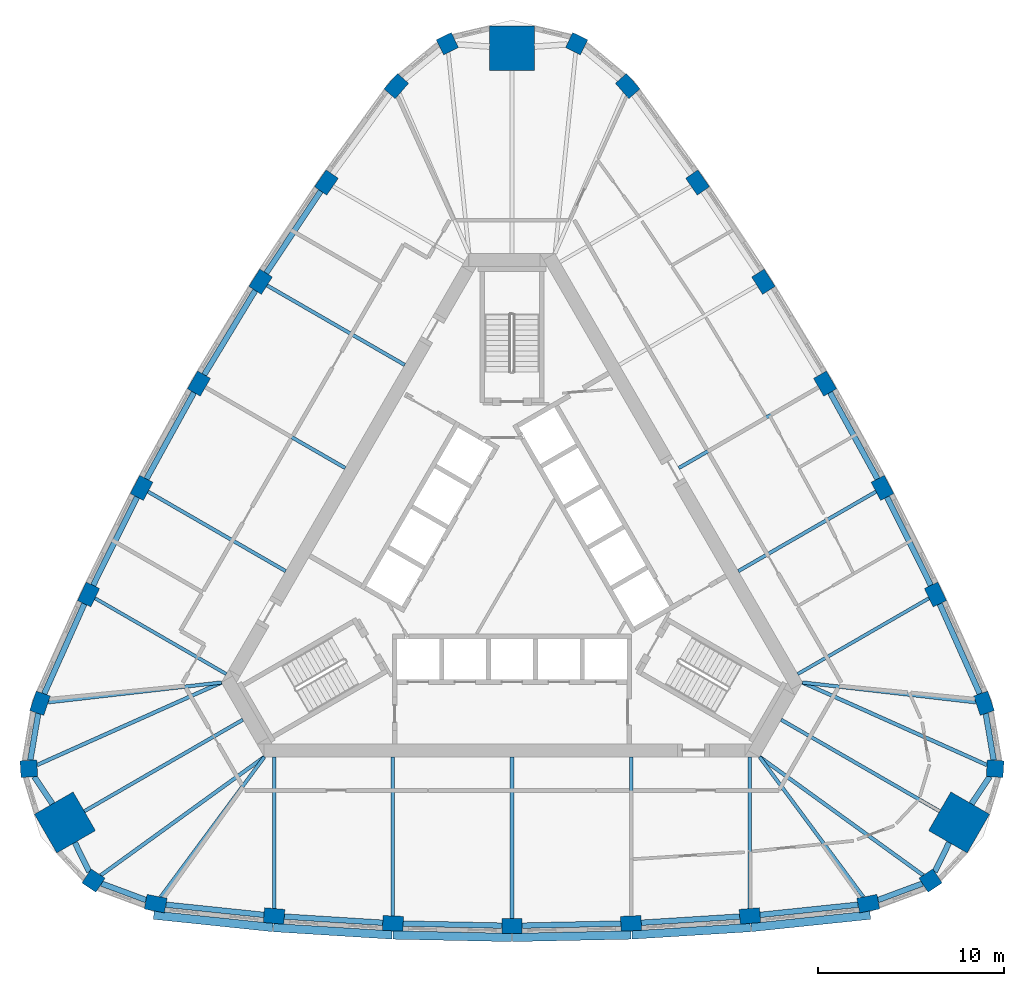
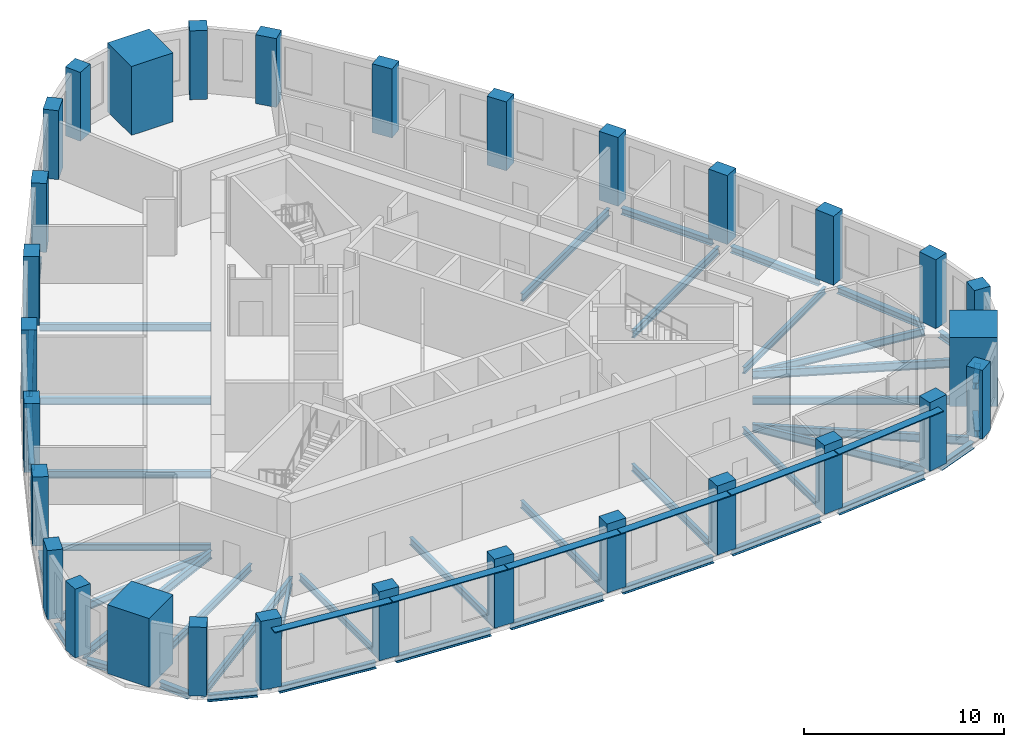
# One storey, part 1 of 10: 44 beams, 30 columns, 6 members.
"""IFC4 building model written with IfcOpenShell, lengths in metres."""

import ifcopenshell
import ifcopenshell.guid

model = None  # the IFC model being written
_history = None  # IfcOwnerHistory: only IFC2X3 demands one
_inside = {}  # id of a spatial element -> (the spatial element, [elements in it])
_under = {}  # id of a project, library or spatial element -> (it, [spatial elements below it])
_declared = {}  # id of a project -> (the project, [libraries it declares])
_typed = {}  # id of a type object -> (the type object, [elements of that type])
_made_of = {}  # id of a material, layer set ... -> (it, [elements and type objects made of it])


def new_model(schema):
    """Start an empty IFC model of exactly this schema.

    Asked for "IFC4X3", IfcOpenShell would pick the latest addendum, in which some entities
    have other attributes; the version numbers below select the first issue.
    IFC2X3 requires an IfcOwnerHistory on every rooted entity: one is made here for all.
    """
    global model, _history
    if schema == "IFC4X3":
        model = ifcopenshell.file(schema_version=(4, 3, 0, 0))
    else:
        model = ifcopenshell.file(schema=schema)
    _inside.clear()
    _under.clear()
    _declared.clear()
    _typed.clear()
    _made_of.clear()
    _history = None
    if model.schema == "IFC2X3":
        org = make("IfcOrganization", Name="unknown")
        user = make(
            "IfcPersonAndOrganization",
            ThePerson=make("IfcPerson", FamilyName="unknown"),
            TheOrganization=org,
        )
        app = make(
            "IfcApplication",
            ApplicationDeveloper=org,
            Version="unknown",
            ApplicationFullName="unknown",
            ApplicationIdentifier="unknown",
        )
        _history = make(
            "IfcOwnerHistory",
            OwningUser=user,
            OwningApplication=app,
            ChangeAction="ADDED",
            CreationDate=0,
        )
    return model


def make(cls, **values):
    """One entity of the class cls with the attributes given. An attribute that is None is left unset."""
    return model.create_entity(
        cls, **{name: value for name, value in values.items() if value is not None}
    )


def rooted(cls, **values):
    """An entity with a GlobalId (a new one), such as an element, a storey or a relation."""
    return make(cls, GlobalId=ifcopenshell.guid.new(), OwnerHistory=_history, **values)


def si_unit(unit_type, name, prefix=None):
    """IfcSIUnit, for example si_unit("LENGTHUNIT", "METRE", prefix="MILLI")."""
    return make("IfcSIUnit", UnitType=unit_type, Prefix=prefix, Name=name)


def assignment(units):
    """IfcUnitAssignment: the units of a project."""
    return None if units is None else make("IfcUnitAssignment", Units=units)


def point(xyz):
    """IfcCartesianPoint."""
    return None if xyz is None else make("IfcCartesianPoint", Coordinates=xyz)


def direction(xyz):
    """IfcDirection."""
    return None if xyz is None else make("IfcDirection", DirectionRatios=xyz)


def frame(location, z_axis=None, x_axis=None):
    """IfcAxis2Placement3D, a coordinate frame: its origin and axes. An axis left out is left unset."""
    return make(
        "IfcAxis2Placement3D",
        Location=point(location),
        Axis=direction(z_axis),
        RefDirection=direction(x_axis),
    )


def frame_2d(location, x_axis=None):
    """IfcAxis2Placement2D, a coordinate frame in the plane: its origin and x axis."""
    return make(
        "IfcAxis2Placement2D", Location=point(location), RefDirection=direction(x_axis)
    )


def origin():
    """The frame at (0, 0, 0) with its axes left unset."""
    return frame((0.0, 0.0, 0.0))


def origin_2d():
    """The frame at (0, 0) in the plane with its x axis left unset."""
    return frame_2d((0.0, 0.0))


def place(relative_to, where):
    """IfcLocalPlacement: puts the frame where relative to a parent placement (None: the world)."""
    return make(
        "IfcLocalPlacement", PlacementRelTo=relative_to, RelativePlacement=where
    )


def context(
    kind, dimensions, precision=None, world=None, true_north=None, identifier=None
):
    """IfcGeometricRepresentationContext, for example the 3D "Model" context."""
    return make(
        "IfcGeometricRepresentationContext",
        ContextIdentifier=identifier,
        ContextType=kind,
        CoordinateSpaceDimension=dimensions,
        Precision=precision,
        WorldCoordinateSystem=world,
        TrueNorth=true_north,
    )


def subcontext(parent, identifier, kind, view, scale=None):
    """IfcGeometricRepresentationSubContext, for example "Body" below "Model"."""
    return make(
        "IfcGeometricRepresentationSubContext",
        ContextIdentifier=identifier,
        ContextType=kind,
        ParentContext=parent,
        TargetScale=scale,
        TargetView=view,
    )


def project(units=None, contexts=None):
    """IfcProject with its units and contexts."""
    return rooted(
        "IfcProject",
        Name="project",
        RepresentationContexts=contexts,
        UnitsInContext=assignment(units),
    )


def spatial(cls, under=None, at=None, **own):
    """A site, building, storey or space (cls), placed at a placement, below another one or the project."""
    s = rooted(cls, ObjectPlacement=at, **own)
    if under is not None:
        _under.setdefault(under.id(), (under, []))[1].append(s)
    return s


def profile(cls, at=None, kind="AREA", **sizes):
    """A parametric profile (cls). Its sizes go by their IFC names, for example OverallWidth=200.0."""
    return make(cls, ProfileType=kind, Position=at, **sizes)


def rectangle(**sizes):
    """IfcRectangleProfileDef."""
    return profile("IfcRectangleProfileDef", **sizes)


def i_section(**sizes):
    """IfcIShapeProfileDef."""
    return profile("IfcIShapeProfileDef", **sizes)


def extrude(swept, where, along, depth):
    """IfcExtrudedAreaSolid: the profile swept, set in the frame where, extruded along a direction by depth."""
    return make(
        "IfcExtrudedAreaSolid",
        SweptArea=swept,
        Position=where,
        ExtrudedDirection=direction(along),
        Depth=depth,
    )


def shape(context_of_items, identifier, shape_type, items):
    """IfcShapeRepresentation: the items that make up one representation, for example the "Body"."""
    return make(
        "IfcShapeRepresentation",
        ContextOfItems=context_of_items,
        RepresentationIdentifier=identifier,
        RepresentationType=shape_type,
        Items=items,
    )


def material(Name=None, Category=None):
    """IfcMaterial."""
    return make("IfcMaterial", Name=Name, Category=Category)


def material_profile(
    of_material, cross_section, Name=None, Category=None, Priority=None
):
    """IfcMaterialProfile: a cross section and its material."""
    return make(
        "IfcMaterialProfile",
        Name=Name,
        Material=of_material,
        Profile=cross_section,
        Priority=Priority,
        Category=Category,
    )


def profile_set(profiles, Name=None, composite=None):
    """IfcMaterialProfileSet."""
    return make(
        "IfcMaterialProfileSet",
        Name=Name,
        MaterialProfiles=profiles,
        CompositeProfile=composite,
    )


def made_of(thing, what):
    """Note that an element or type object is made of a material, layer set ...; save() writes the relation."""
    if what is not None:
        _made_of.setdefault(what.id(), (what, []))[1].append(thing)
    return thing


def type_object(cls, material=None, **own):
    """A type object (cls), such as IfcWallType, which elements share."""
    return made_of(rooted(cls, **own), material)


def element(
    cls,
    number,
    at=None,
    inside=None,
    cuts=None,
    type_object=None,
    material=None,
    context=None,
    identifier="Body",
    shape_type=None,
    held_by="IfcProductDefinitionShape",
    body=None,
    shapes=None,
    **own,
):
    """One element of the class cls, such as IfcWall. Its Tag is "e" and its number.

    at: its placement. inside: the storey or other place that contains it. cuts: it is an
    opening in that element (IfcRelVoidsElement). A single representation is given by context,
    identifier, shape_type and body (its items); several are given by shapes. held_by: the class
    of the entity that holds the representations. save() writes the other relations.
    """
    e = rooted(cls, Tag="e%d" % number, ObjectPlacement=at, **own)
    if body is not None:
        shapes = [shape(context, identifier, shape_type, body)]
    if shapes is not None:
        e.Representation = make(held_by, Representations=shapes)
    if inside is not None:
        _inside.setdefault(inside.id(), (inside, []))[1].append(e)
    if cuts is not None:
        rooted(
            "IfcRelVoidsElement", RelatingBuildingElement=cuts, RelatedOpeningElement=e
        )
    if type_object is not None:
        _typed.setdefault(type_object.id(), (type_object, []))[1].append(e)
    return made_of(e, material)


def aggregate(whole, parts):
    """IfcRelAggregates: a whole, such as a stair, and the parts it consists of."""
    return rooted("IfcRelAggregates", RelatingObject=whole, RelatedObjects=parts)


def save(model, path):
    """Write the relations noted so far, then the file.

    IfcRelAggregates (storeys below a building ...), IfcRelContainedInSpatialStructure (elements
    in a storey), IfcRelDefinesByType, IfcRelAssociatesMaterial and IfcRelDeclares: one each for
    every whole, place, type object, material and project.
    """
    for whole, parts in _under.values():
        aggregate(whole, parts)
    for where, things in _inside.values():
        rooted(
            "IfcRelContainedInSpatialStructure",
            RelatedElements=things,
            RelatingStructure=where,
        )
    for kind, things in _typed.values():
        rooted("IfcRelDefinesByType", RelatedObjects=things, RelatingType=kind)
    for what, things in _made_of.values():
        rooted("IfcRelAssociatesMaterial", RelatedObjects=things, RelatingMaterial=what)
    for by, libraries in _declared.values():
        rooted("IfcRelDeclares", RelatingContext=by, RelatedDefinitions=libraries)
    model.write(path)


model = new_model("IFC4")

# Units and contexts
model_context = context("Model", 3, precision=1e-05, world=origin(), true_north=direction((0.0, 1.0)))
body_context = subcontext(model_context, "Body", "Model", "MODEL_VIEW")
ifc_project = project(units=[si_unit("LENGTHUNIT", "METRE"), si_unit("AREAUNIT", "SQUARE_METRE"), si_unit("VOLUMEUNIT", "CUBIC_METRE"), si_unit("PLANEANGLEUNIT", "RADIAN"), si_unit("MASSUNIT", "GRAM", prefix="KILO")], contexts=[model_context])

# Site, building, storey
site_placement = place(None, origin())
site = spatial("IfcSite", under=ifc_project, at=site_placement, CompositionType="ELEMENT")
building_placement = place(site_placement, origin())
building = spatial("IfcBuilding", under=site, at=building_placement, Name="Mestral Congress Tower", CompositionType="ELEMENT")
storey_placement = place(building_placement, frame((0.0, 0.0, 231.0)))
storey = spatial("IfcBuildingStorey", under=building, at=storey_placement, Name="L54", CompositionType="ELEMENT", Elevation=231.0)

# Columns
ifc_material_1 = material(Name="Concrete C60/75", Category="concrete")
ifc_material_profile_1 = material_profile(ifc_material_1, rectangle(XDim=1.10009765625, YDim=0.800048828125, at=origin_2d()), Name="RC 1100x800")
ifc_profile_set_1 = profile_set([ifc_material_profile_1], Name="Concrete C60/75")
column_type_1 = type_object("IfcColumnType", Name="Column RC 1100x800 C60/75", PredefinedType="COLUMN", material=ifc_profile_set_1)
for number, where, z_axis, x_axis, name in (
    (1, (-19.150390625, -18.23681640625, 0.0), (0.0, 0.0, 1.0), (0.981324571854, -0.192359259395, 0.0), "COL-L54-C4-S00"),
    (2, (-12.785400390625, -18.899658203125, 0.0), (0.0, 0.0, 1.0), (0.996556680667, -0.082914306473, 0.0), "COL-L54-C4-S01"),
    (3, (-6.398193359375, -19.2978515625, 0.0), (0.0, 0.0, 1.0), (0.999138835542, -0.041492015025, 0.0), "COL-L54-C4-S02"),
    (4, (0.0, -19.4306640625, 0.0), (0.0, 0.0, 1.0), (1.0, 0.0, 0.0), "COL-L54-C4-S03"),
    (5, (6.398193359375, -19.2978515625, 0.0), (0.0, 0.0, 1.0), (0.999138835542, 0.041492015025, 0.0), "COL-L54-C4-S04"),
    (6, (12.785400390625, -18.899658203125, 0.0), (0.0, 0.0, 1.0), (0.996556680667, 0.082914306473, 0.0), "COL-L54-C4-S05"),
    (7, (19.150390625, -18.23681640625, 0.0), (0.0, 0.0, 1.0), (0.981324571854, 0.192359259395, 0.0), "COL-L54-C4-S06"),
    (8, (25.368896484375, -7.46630859375, 0.0), (0.0, 0.0, 1.0), (-0.324074280638, 0.946031638281, 0.0), "COL-L54-C4-E00"),
    (9, (22.76025390625, -1.62255859375, 0.0), (0.0, 0.0, 1.0), (-0.426472444591, 0.904500555005, 0.0), "COL-L54-C4-E01"),
    (10, (19.91162109375, 4.10791015625, 0.0), (0.0, 0.0, 1.0), (-0.463636278705, 0.886025621, 0.0), "COL-L54-C4-E02"),
    (11, (16.827392578125, 9.71533203125, 0.0), (0.0, 0.0, 1.0), (-0.5, 0.866025403784, 0.0), "COL-L54-C4-E03"),
    (12, (13.51318359375, 15.18994140625, 0.0), (0.0, 0.0, 1.0), (-0.535502556837, 0.844533605975, 0.0), "COL-L54-C4-E04"),
    (13, (9.974853515625, 20.522216796875, 0.0), (0.0, 0.0, 1.0), (-0.570084236076, 0.821586248532, 0.0), "COL-L54-C4-E05"),
    (14, (6.218505859375, 25.703125, 0.0), (0.0, 0.0, 1.0), (-0.657250291216, 0.753672378886, 0.0), "COL-L54-C4-E06"),
    (15, (-6.218505859375, 25.703125, 0.0), (0.0, 0.0, 1.0), (-0.657250291216, -0.753672378886, 0.0), "COL-L54-C4-W00"),
    (16, (-9.974853515625, 20.522216796875, 0.0), (0.0, 0.0, 1.0), (-0.570084236076, -0.821586248532, 0.0), "COL-L54-C4-W01"),
    (17, (-13.51318359375, 15.18994140625, 0.0), (0.0, 0.0, 1.0), (-0.535502556837, -0.844533605975, 0.0), "COL-L54-C4-W02"),
    (18, (-16.827392578125, 9.71533203125, 0.0), (0.0, 0.0, 1.0), (-0.5, -0.866025403784, 0.0), "COL-L54-C4-W03"),
    (19, (-19.91162109375, 4.10791015625, 0.0), (0.0, 0.0, 1.0), (-0.463636278705, -0.886025621, 0.0), "COL-L54-C4-W04"),
    (20, (-22.76025390625, -1.62255859375, 0.0), (0.0, 0.0, 1.0), (-0.426472444591, -0.904500555005, 0.0), "COL-L54-C4-W05"),
    (21, (-25.368896484375, -7.46630859375, 0.0), (0.0, 0.0, 1.0), (-0.324074280638, -0.946031638281, 0.0), "COL-L54-C4-W06"),
):
    element("IfcColumn", number, at=place(storey_placement, frame(where, z_axis=z_axis, x_axis=x_axis)), inside=storey, type_object=column_type_1, Name=name, PredefinedType="COLUMN", context=body_context, shape_type="SweptSolid", body=[
        extrude(rectangle(XDim=1.10009765625, YDim=0.800048828125, at=origin_2d()), origin(), (0.0, 0.0, 1.0), 4.199951171875),
    ])
ifc_material_profile_2 = material_profile(ifc_material_1, rectangle(XDim=0.89990234375, YDim=0.89990234375, at=origin_2d()), Name="RC 900x900")
ifc_profile_set_2 = profile_set([ifc_material_profile_2], Name="Concrete C60/75")
column_type_2 = type_object("IfcColumnType", Name="Column RC 900x900 C60/75", PredefinedType="COLUMN", material=ifc_profile_set_2)
for number, where, z_axis, x_axis, name in (
    (22, (22.494384765625, -16.99658203125, 0.0), (0.0, 0.0, 1.0), (0.833238868178, 0.552913183563, 0.0), "COL-L54-C4-SE1"),
    (23, (25.966552734375, -10.982421875, 0.0), (0.0, 0.0, 1.0), (0.062217428964, 0.998062619044, 0.0), "COL-L54-C4-SE3"),
    (24, (3.47216796875, 27.97900390625, 0.0), (0.0, 0.0, 1.0), (-0.895456297142, 0.445149435481, 0.0), "COL-L54-C4-N1"),
    (25, (-3.47216796875, 27.97900390625, 0.0), (0.0, 0.0, 1.0), (-0.895456297142, -0.445149435481, 0.0), "COL-L54-C4-N3"),
    (26, (-25.966552734375, -10.982421875, 0.0), (0.0, 0.0, 1.0), (0.062217428964, -0.998062619044, 0.0), "COL-L54-C4-SW1"),
    (27, (-22.494384765625, -16.99658203125, 0.0), (0.0, 0.0, 1.0), (0.833238868178, -0.552913183563, 0.0), "COL-L54-C4-SW3"),
):
    element("IfcColumn", number, at=place(storey_placement, frame(where, z_axis=z_axis, x_axis=x_axis)), inside=storey, type_object=column_type_2, Name=name, PredefinedType="COLUMN", context=body_context, shape_type="SweptSolid", body=[
        extrude(rectangle(XDim=0.89990234375, YDim=0.89990234375, at=origin_2d()), origin(), (0.0, 0.0, 1.0), 4.199951171875),
    ])
ifc_material_2 = material(Name="Concrete C70/85", Category="concrete")
ifc_material_profile_3 = material_profile(ifc_material_2, rectangle(XDim=2.39990234375, YDim=2.39990234375, at=origin_2d()), Name="RC 2400x2400")
ifc_profile_set_3 = profile_set([ifc_material_profile_3], Name="Concrete C70/85")
column_type_3 = type_object("IfcColumnType", Name="Mega column RC 2400x2400 C70/85", PredefinedType="COLUMN", material=ifc_profile_set_3)
for number, where, z_axis, x_axis, name in (
    (28, (24.02734375, -13.872314453125, 0.0), (0.0, 0.0, 1.0), (0.866025403784, -0.5, 0.0), "COL-L54-PY4-SE"),
    (29, (0.0, 27.744384765625, 0.0), (0.0, 0.0, 1.0), (0.0, 1.0, 0.0), "COL-L54-PY4-N"),
    (30, (-24.02734375, -13.872314453125, 0.0), (0.0, 0.0, 1.0), (-0.866025403784, -0.5, 0.0), "COL-L54-PY4-SW"),
):
    element("IfcColumn", number, at=place(storey_placement, frame(where, z_axis=z_axis, x_axis=x_axis)), inside=storey, type_object=column_type_3, Name=name, PredefinedType="COLUMN", context=body_context, shape_type="SweptSolid", body=[
        extrude(rectangle(XDim=2.39990234375, YDim=2.39990234375, at=origin_2d()), origin(), (0.0, 0.0, 1.0), 4.199951171875),
    ])

# Members
ifc_material_3 = material(Name="Glazed ceramic", Category="masonry")
ifc_material_profile_4 = material_profile(ifc_material_3, rectangle(XDim=0.449951171875, YDim=0.06005859375, at=origin_2d()), Name="Ceramic blade 450 x 60")
ifc_profile_set_4 = profile_set([ifc_material_profile_4], Name="Glazed ceramic")
member_type = type_object("IfcMemberType", Name="Facade sunshade blade 450 x 60", PredefinedType="USERDEFINED", material=ifc_profile_set_4)
member_1_placement = place(storey_placement, frame((-19.251708984375, -18.8544921875, 3.679931640625), z_axis=(0.994617919471, -0.103610782581, 0.0), x_axis=(0.103610782581, 0.994617919471, 0.0)))
element("IfcMember", 31, at=member_1_placement, inside=storey, type_object=member_type, Name="Sunshade F0-00", ObjectType="SUNSHADE", PredefinedType="USERDEFINED", context=body_context, shape_type="SweptSolid", body=[
    extrude(rectangle(XDim=0.449951171875, YDim=0.06005859375, at=origin_2d()), origin(), (0.0, 0.0, 1.0), 6.42578125),
])
member_2_placement = place(storey_placement, frame((-12.8134765625, -19.524169921875, 3.679931640625), z_axis=(0.99806373271, -0.062199561482, 0.0), x_axis=(0.062199561482, 0.99806373271, 0.0)))
element("IfcMember", 32, at=member_2_placement, inside=storey, type_object=member_type, Name="Sunshade F0-01", ObjectType="SUNSHADE", PredefinedType="USERDEFINED", context=body_context, shape_type="SweptSolid", body=[
    extrude(rectangle(XDim=0.449951171875, YDim=0.06005859375, at=origin_2d()), origin(), (0.0, 0.0, 1.0), 6.37841796875),
])
for number, where, z_axis, x_axis, name in (
    (33, (-6.400390625, -19.9228515625, 3.679931640625), (0.99978476383, -0.0207467109, 0.0), (0.0207467109, 0.99978476383, 0.0), "Sunshade F0-02"),
    (34, (0.023681640625, -20.05517578125, 3.679931640625), (0.99978476383, 0.0207467109, 0.0), (-0.0207467109, 0.99978476383, 0.0), "Sunshade F0-03"),
):
    element("IfcMember", number, at=place(storey_placement, frame(where, z_axis=z_axis, x_axis=x_axis)), inside=storey, type_object=member_type, Name=name, ObjectType="SUNSHADE", PredefinedType="USERDEFINED", context=body_context, shape_type="SweptSolid", body=[
        extrude(rectangle(XDim=0.449951171875, YDim=0.06005859375, at=origin_2d()), origin(), (0.0, 0.0, 1.0), 6.378173828125),
    ])
member_3_placement = place(storey_placement, frame((6.447509765625, -19.9208984375, 3.679931640625), z_axis=(0.99806373271, 0.062199561482, 0.0), x_axis=(-0.062199561482, 0.99806373271, 0.0)))
element("IfcMember", 35, at=member_3_placement, inside=storey, type_object=member_type, Name="Sunshade F0-04", ObjectType="SUNSHADE", PredefinedType="USERDEFINED", context=body_context, shape_type="SweptSolid", body=[
    extrude(rectangle(XDim=0.449951171875, YDim=0.06005859375, at=origin_2d()), origin(), (0.0, 0.0, 1.0), 6.37841796875),
])
member_4_placement = place(storey_placement, frame((12.860595703125, -19.520263671875, 3.679931640625), z_axis=(0.994617919471, 0.103610782581, 0.0), x_axis=(-0.103610782581, 0.994617919471, 0.0)))
element("IfcMember", 36, at=member_4_placement, inside=storey, type_object=member_type, Name="Sunshade F0-05", ObjectType="SUNSHADE", PredefinedType="USERDEFINED", context=body_context, shape_type="SweptSolid", body=[
    extrude(rectangle(XDim=0.449951171875, YDim=0.06005859375, at=origin_2d()), origin(), (0.0, 0.0, 1.0), 6.42578125),
])

# Beams
ifc_material_4 = material(Name="Steel S355", Category="steel")
ifc_material_profile_5 = material_profile(ifc_material_4, i_section(OverallWidth=0.179931640625, OverallDepth=0.39990234375, WebThickness=0.008544921875, FlangeThickness=0.013427734375, FilletRadius=0.02099609375, at=origin_2d()), Name="IPE 400")
ifc_profile_set_5 = profile_set([ifc_material_profile_5], Name="Steel S355")
beam_type_1 = type_object("IfcBeamType", Name="Floor beam IPE 400 S355", PredefinedType="BEAM", material=ifc_profile_set_5)
for number, where, z_axis, x_axis, name in (
    (37, (-12.785400390625, -18.498291015625, -0.449951171875), (0.0, 1.0, 0.0), (-1.0, 0.0, 0.0), "BM-L54-RB4-S01"),
    (38, (12.785400390625, -18.498291015625, -0.449951171875), (0.0, 1.0, 0.0), (-1.0, 0.0, 0.0), "BM-L54-RB4-S05"),
):
    element("IfcBeam", number, at=place(storey_placement, frame(where, z_axis=z_axis, x_axis=x_axis)), inside=storey, type_object=beam_type_1, Name=name, PredefinedType="BEAM", context=body_context, shape_type="SweptSolid", body=[
        extrude(i_section(OverallWidth=0.179931640625, OverallDepth=0.39990234375, WebThickness=0.008544921875, FlangeThickness=0.013427734375, FilletRadius=0.02099609375, at=origin_2d()), origin(), (0.0, 0.0, 1.0), 8.148193359375),
    ])
for number, where, z_axis, x_axis, name in (
    (39, (22.41259765625, -1.8232421875, -0.449951171875), (-0.866021929094, -0.500006018292, 0.0), (0.500006018292, -0.866021929094, 0.0), "BM-L54-RB4-E01"),
    (40, (-22.41259765625, -1.8232421875, -0.449951171875), (0.866021929094, -0.500006018292, 0.0), (0.500006018292, 0.866021929094, 0.0), "BM-L54-RB4-W05"),
):
    element("IfcBeam", number, at=place(storey_placement, frame(where, z_axis=z_axis, x_axis=x_axis)), inside=storey, type_object=beam_type_1, Name=name, PredefinedType="BEAM", context=body_context, shape_type="SweptSolid", body=[
        extrude(i_section(OverallWidth=0.179931640625, OverallDepth=0.39990234375, WebThickness=0.008544921875, FlangeThickness=0.013427734375, FilletRadius=0.02099609375, at=origin_2d()), origin(), (0.0, 0.0, 1.0), 8.1484375),
    ])
ifc_material_profile_6 = material_profile(ifc_material_4, i_section(OverallWidth=0.18994140625, OverallDepth=0.449951171875, WebThickness=0.009521484375, FlangeThickness=0.0146484375, FilletRadius=0.02099609375, at=origin_2d()), Name="IPE 450")
ifc_profile_set_6 = profile_set([ifc_material_profile_6], Name="Steel S355")
beam_type_2 = type_object("IfcBeamType", Name="Floor beam IPE 450 S355", PredefinedType="BEAM", material=ifc_profile_set_6)
beam_1_placement = place(storey_placement, frame((-18.88671875, -17.880859375, -0.47509765625), z_axis=(0.595263059859, 0.803530888994, 0.0), x_axis=(-0.803530888994, 0.595263059859, 0.0)))
element("IfcBeam", 41, at=beam_1_placement, inside=storey, type_object=beam_type_2, Name="BM-L54-RB4-S00", PredefinedType="BEAM", context=body_context, shape_type="SweptSolid", body=[
    extrude(i_section(OverallWidth=0.18994140625, OverallDepth=0.449951171875, WebThickness=0.009521484375, FlangeThickness=0.0146484375, FilletRadius=0.02099609375, at=origin_2d()), origin(), (0.0, 0.0, 1.0), 9.3720703125),
])
beam_2_placement = place(storey_placement, frame((-6.398193359375, -18.8974609375, -0.47509765625), z_axis=(0.0, 1.0, 0.0), x_axis=(-1.0, 0.0, 0.0)))
element("IfcBeam", 42, at=beam_2_placement, inside=storey, type_object=beam_type_2, Name="BM-L54-RB4-S02", PredefinedType="BEAM", context=body_context, shape_type="SweptSolid", body=[
    extrude(i_section(OverallWidth=0.18994140625, OverallDepth=0.449951171875, WebThickness=0.009521484375, FlangeThickness=0.0146484375, FilletRadius=0.02099609375, at=origin_2d()), origin(), (0.0, 0.0, 1.0), 8.54736328125),
])
beam_3_placement = place(storey_placement, frame((0.0, -19.030517578125, -0.47509765625), z_axis=(0.0, 1.0, 0.0), x_axis=(-1.0, 0.0, 0.0)))
element("IfcBeam", 43, at=beam_3_placement, inside=storey, type_object=beam_type_2, Name="BM-L54-RB4-S03", PredefinedType="BEAM", context=body_context, shape_type="SweptSolid", body=[
    extrude(i_section(OverallWidth=0.18994140625, OverallDepth=0.449951171875, WebThickness=0.009521484375, FlangeThickness=0.0146484375, FilletRadius=0.02099609375, at=origin_2d()), origin(), (0.0, 0.0, 1.0), 8.680419921875),
])
beam_4_placement = place(storey_placement, frame((6.398193359375, -18.8974609375, -0.47509765625), z_axis=(0.0, 1.0, 0.0), x_axis=(-1.0, 0.0, 0.0)))
element("IfcBeam", 44, at=beam_4_placement, inside=storey, type_object=beam_type_2, Name="BM-L54-RB4-S04", PredefinedType="BEAM", context=body_context, shape_type="SweptSolid", body=[
    extrude(i_section(OverallWidth=0.18994140625, OverallDepth=0.449951171875, WebThickness=0.009521484375, FlangeThickness=0.0146484375, FilletRadius=0.02099609375, at=origin_2d()), origin(), (0.0, 0.0, 1.0), 8.54736328125),
])
beam_5_placement = place(storey_placement, frame((18.88671875, -17.880859375, -0.47509765625), z_axis=(-0.595263059859, 0.803530888994, 0.0), x_axis=(-0.803530888994, -0.595263059859, 0.0)))
element("IfcBeam", 45, at=beam_5_placement, inside=storey, type_object=beam_type_2, Name="BM-L54-RB4-S06", PredefinedType="BEAM", context=body_context, shape_type="SweptSolid", body=[
    extrude(i_section(OverallWidth=0.18994140625, OverallDepth=0.449951171875, WebThickness=0.009521484375, FlangeThickness=0.0146484375, FilletRadius=0.02099609375, at=origin_2d()), origin(), (0.0, 0.0, 1.0), 9.3720703125),
])
beam_6_placement = place(storey_placement, frame((22.98828125, -13.272216796875, -0.47509765625), z_axis=(-0.866021631874, 0.500006533084, 0.0), x_axis=(-0.500006533084, -0.866021631874, 0.0)))
element("IfcBeam", 46, at=beam_6_placement, inside=storey, type_object=beam_type_2, Name="BM-L54-RB4-SE", PredefinedType="BEAM", context=body_context, shape_type="SweptSolid", body=[
    extrude(i_section(OverallWidth=0.18994140625, OverallDepth=0.449951171875, WebThickness=0.009521484375, FlangeThickness=0.0146484375, FilletRadius=0.02099609375, at=origin_2d()), origin(), (0.0, 0.0, 1.0), 9.844482421875),
])
beam_7_placement = place(storey_placement, frame((24.9287109375, -7.416015625, -0.47509765625), z_axis=(-0.99351166529, 0.11373025513, 0.0), x_axis=(-0.11373025513, -0.99351166529, 0.0)))
element("IfcBeam", 47, at=beam_7_placement, inside=storey, type_object=beam_type_2, Name="BM-L54-RB4-E00", PredefinedType="BEAM", context=body_context, shape_type="SweptSolid", body=[
    extrude(i_section(OverallWidth=0.18994140625, OverallDepth=0.449951171875, WebThickness=0.009521484375, FlangeThickness=0.0146484375, FilletRadius=0.02099609375, at=origin_2d()), origin(), (0.0, 0.0, 1.0), 9.372314453125),
])
beam_8_placement = place(storey_placement, frame((19.564697265625, 3.90771484375, -0.47509765625), z_axis=(-0.866028621479, -0.499994426748, 0.0), x_axis=(0.499994426748, -0.866028621479, 0.0)))
element("IfcBeam", 48, at=beam_8_placement, inside=storey, type_object=beam_type_2, Name="BM-L54-RB4-E02", PredefinedType="BEAM", context=body_context, shape_type="SweptSolid", body=[
    extrude(i_section(OverallWidth=0.18994140625, OverallDepth=0.449951171875, WebThickness=0.009521484375, FlangeThickness=0.0146484375, FilletRadius=0.02099609375, at=origin_2d()), origin(), (0.0, 0.0, 1.0), 8.54736328125),
])
beam_9_placement = place(storey_placement, frame((16.48095703125, 9.515380859375, -0.47509765625), z_axis=(-0.866022596503, -0.500004862322, 0.0), x_axis=(0.500004862322, -0.866022596503, 0.0)))
element("IfcBeam", 49, at=beam_9_placement, inside=storey, type_object=beam_type_2, Name="BM-L54-RB4-E03", PredefinedType="BEAM", context=body_context, shape_type="SweptSolid", body=[
    extrude(i_section(OverallWidth=0.18994140625, OverallDepth=0.449951171875, WebThickness=0.009521484375, FlangeThickness=0.0146484375, FilletRadius=0.02099609375, at=origin_2d()), origin(), (0.0, 0.0, 1.0), 8.6806640625),
])
beam_10_placement = place(storey_placement, frame((-13.16650390625, 14.98974609375, -0.47509765625), z_axis=(0.866028621479, -0.499994426748, 0.0), x_axis=(0.499994426748, 0.866028621479, 0.0)))
element("IfcBeam", 50, at=beam_10_placement, inside=storey, type_object=beam_type_2, Name="BM-L54-RB4-W02", PredefinedType="BEAM", context=body_context, shape_type="SweptSolid", body=[
    extrude(i_section(OverallWidth=0.18994140625, OverallDepth=0.449951171875, WebThickness=0.009521484375, FlangeThickness=0.0146484375, FilletRadius=0.02099609375, at=origin_2d()), origin(), (0.0, 0.0, 1.0), 8.54736328125),
])
beam_11_placement = place(storey_placement, frame((-16.48095703125, 9.515380859375, -0.47509765625), z_axis=(0.866022596503, -0.500004862322, 0.0), x_axis=(0.500004862322, 0.866022596503, 0.0)))
element("IfcBeam", 51, at=beam_11_placement, inside=storey, type_object=beam_type_2, Name="BM-L54-RB4-W03", PredefinedType="BEAM", context=body_context, shape_type="SweptSolid", body=[
    extrude(i_section(OverallWidth=0.18994140625, OverallDepth=0.449951171875, WebThickness=0.009521484375, FlangeThickness=0.0146484375, FilletRadius=0.02099609375, at=origin_2d()), origin(), (0.0, 0.0, 1.0), 8.6806640625),
])
beam_12_placement = place(storey_placement, frame((-19.564697265625, 3.90771484375, -0.47509765625), z_axis=(0.866028621479, -0.499994426748, 0.0), x_axis=(0.499994426748, 0.866028621479, 0.0)))
element("IfcBeam", 52, at=beam_12_placement, inside=storey, type_object=beam_type_2, Name="BM-L54-RB4-W04", PredefinedType="BEAM", context=body_context, shape_type="SweptSolid", body=[
    extrude(i_section(OverallWidth=0.18994140625, OverallDepth=0.449951171875, WebThickness=0.009521484375, FlangeThickness=0.0146484375, FilletRadius=0.02099609375, at=origin_2d()), origin(), (0.0, 0.0, 1.0), 8.54736328125),
])
beam_13_placement = place(storey_placement, frame((-24.9287109375, -7.416015625, -0.47509765625), z_axis=(0.99351166529, 0.11373025513, 0.0), x_axis=(-0.11373025513, 0.99351166529, 0.0)))
element("IfcBeam", 53, at=beam_13_placement, inside=storey, type_object=beam_type_2, Name="BM-L54-RB4-W06", PredefinedType="BEAM", context=body_context, shape_type="SweptSolid", body=[
    extrude(i_section(OverallWidth=0.18994140625, OverallDepth=0.449951171875, WebThickness=0.009521484375, FlangeThickness=0.0146484375, FilletRadius=0.02099609375, at=origin_2d()), origin(), (0.0, 0.0, 1.0), 9.372314453125),
])
beam_14_placement = place(storey_placement, frame((-22.98828125, -13.272216796875, -0.47509765625), z_axis=(0.866021631874, 0.500006533084, 0.0), x_axis=(-0.500006533084, 0.866021631874, 0.0)))
element("IfcBeam", 54, at=beam_14_placement, inside=storey, type_object=beam_type_2, Name="BM-L54-RB4-SW", PredefinedType="BEAM", context=body_context, shape_type="SweptSolid", body=[
    extrude(i_section(OverallWidth=0.18994140625, OverallDepth=0.449951171875, WebThickness=0.009521484375, FlangeThickness=0.0146484375, FilletRadius=0.02099609375, at=origin_2d()), origin(), (0.0, 0.0, 1.0), 9.844482421875),
])
ifc_material_profile_7 = material_profile(ifc_material_4, i_section(OverallWidth=0.199951171875, OverallDepth=0.5, WebThickness=0.01025390625, FlangeThickness=0.01611328125, FilletRadius=0.02099609375, at=origin_2d()), Name="IPE 500")
ifc_profile_set_7 = profile_set([ifc_material_profile_7], Name="Steel S355")
beam_type_3 = type_object("IfcBeamType", Name="Floor beam IPE 500 S355", PredefinedType="BEAM", material=ifc_profile_set_7)
beam_15_placement = place(storey_placement, frame((22.10498046875, -16.71484375, -0.5), z_axis=(-0.810186242112, 0.586172545496, 0.0), x_axis=(-0.586172545496, -0.810186242112, 0.0)))
element("IfcBeam", 55, at=beam_15_placement, inside=storey, type_object=beam_type_3, Name="BM-L54-RB4-SE1", PredefinedType="BEAM", context=body_context, shape_type="SweptSolid", body=[
    extrude(i_section(OverallWidth=0.199951171875, OverallDepth=0.5, WebThickness=0.01025390625, FlangeThickness=0.01611328125, FilletRadius=0.02099609375, at=origin_2d()), origin(), (0.0, 0.0, 1.0), 10.858154296875),
])
for number, where, z_axis, x_axis, name in (
    (56, (25.528076171875, -10.7861328125, -0.5), (-0.912742142995, 0.408536143323, 0.0), (-0.408536143323, -0.912742142995, 0.0), "BM-L54-RB4-SE3"),
    (57, (-25.528076171875, -10.7861328125, -0.5), (0.912742142995, 0.408536143323, 0.0), (-0.408536143323, 0.912742142995, 0.0), "BM-L54-RB4-SW1"),
):
    element("IfcBeam", number, at=place(storey_placement, frame(where, z_axis=z_axis, x_axis=x_axis)), inside=storey, type_object=beam_type_3, Name=name, PredefinedType="BEAM", context=body_context, shape_type="SweptSolid", body=[
        extrude(i_section(OverallWidth=0.199951171875, OverallDepth=0.5, WebThickness=0.01025390625, FlangeThickness=0.01611328125, FilletRadius=0.02099609375, at=origin_2d()), origin(), (0.0, 0.0, 1.0), 10.8583984375),
    ])
beam_16_placement = place(storey_placement, frame((-22.10498046875, -16.71484375, -0.5), z_axis=(0.810186242112, 0.586172545496, 0.0), x_axis=(-0.586172545496, 0.810186242112, 0.0)))
element("IfcBeam", 58, at=beam_16_placement, inside=storey, type_object=beam_type_3, Name="BM-L54-RB4-SW3", PredefinedType="BEAM", context=body_context, shape_type="SweptSolid", body=[
    extrude(i_section(OverallWidth=0.199951171875, OverallDepth=0.5, WebThickness=0.01025390625, FlangeThickness=0.01611328125, FilletRadius=0.02099609375, at=origin_2d()), origin(), (0.0, 0.0, 1.0), 10.858154296875),
])
ifc_material_profile_8 = material_profile(ifc_material_4, i_section(OverallWidth=0.300048828125, OverallDepth=0.389892578125, WebThickness=0.010986328125, FlangeThickness=0.01904296875, FilletRadius=0.027099609375, at=origin_2d()), Name="HEA 400")
ifc_profile_set_8 = profile_set([ifc_material_profile_8], Name="Steel S355")
beam_type_4 = type_object("IfcBeamType", Name="Spandrel beam HEA 400 S355", PredefinedType="BEAM", material=ifc_profile_set_8)
beam_17_placement = place(storey_placement, frame((-18.60107421875, -18.2939453125, -0.445068359375), z_axis=(0.994618013093, -0.103609883848, 0.0), x_axis=(0.103609883848, 0.994618013093, 0.0)))
element("IfcBeam", 59, at=beam_17_placement, inside=storey, type_object=beam_type_4, Name="SP-L54-SB4-S00", PredefinedType="BEAM", context=body_context, shape_type="SweptSolid", body=[
    extrude(i_section(OverallWidth=0.300048828125, OverallDepth=0.389892578125, WebThickness=0.010986328125, FlangeThickness=0.01904296875, FilletRadius=0.027099609375, at=origin_2d()), origin(), (0.0, 0.0, 1.0), 5.297119140625),
])
for number, where, z_axis, x_axis, name in (
    (60, (-12.236328125, -18.933837890625, -0.445068359375), (0.998061173507, -0.062240613248, 0.0), (0.062240613248, 0.998061173507, 0.0), "SP-L54-SB4-S01"),
    (61, (-5.84814453125, -19.309326171875, -0.445068359375), (0.999785070758, -0.020731914743, 0.0), (0.020731914743, 0.999785070758, 0.0), "SP-L54-SB4-S02"),
    (62, (0.550048828125, -19.419189453125, -0.445068359375), (0.999785070758, 0.020731914743, 0.0), (-0.020731914743, 0.999785070758, 0.0), "SP-L54-SB4-S03"),
    (63, (6.947265625, -19.263671875, -0.445068359375), (0.998061173507, 0.062240613248, 0.0), (-0.062240613248, 0.998061173507, 0.0), "SP-L54-SB4-S04"),
):
    element("IfcBeam", number, at=place(storey_placement, frame(where, z_axis=z_axis, x_axis=x_axis)), inside=storey, type_object=beam_type_4, Name=name, PredefinedType="BEAM", context=body_context, shape_type="SweptSolid", body=[
        extrude(i_section(OverallWidth=0.300048828125, OverallDepth=0.389892578125, WebThickness=0.010986328125, FlangeThickness=0.01904296875, FilletRadius=0.027099609375, at=origin_2d()), origin(), (0.0, 0.0, 1.0), 5.29931640625),
    ])
beam_18_placement = place(storey_placement, frame((13.33251953125, -18.8427734375, -0.445068359375), z_axis=(0.994618013093, 0.103609883848, 0.0), x_axis=(-0.103609883848, 0.994618013093, 0.0)))
element("IfcBeam", 64, at=beam_18_placement, inside=storey, type_object=beam_type_4, Name="SP-L54-SB4-S05", PredefinedType="BEAM", context=body_context, shape_type="SweptSolid", body=[
    extrude(i_section(OverallWidth=0.300048828125, OverallDepth=0.389892578125, WebThickness=0.010986328125, FlangeThickness=0.01904296875, FilletRadius=0.027099609375, at=origin_2d()), origin(), (0.0, 0.0, 1.0), 5.297119140625),
])
beam_19_placement = place(storey_placement, frame((19.6728515625, -18.04296875, -0.445068359375), z_axis=(0.937591421971, 0.347738875374, 0.0), x_axis=(-0.347738875374, 0.937591421971, 0.0)))
element("IfcBeam", 65, at=beam_19_placement, inside=storey, type_object=beam_type_4, Name="SP-L54-SB4-S06", PredefinedType="BEAM", context=body_context, shape_type="SweptSolid", body=[
    extrude(i_section(OverallWidth=0.300048828125, OverallDepth=0.389892578125, WebThickness=0.010986328125, FlangeThickness=0.01904296875, FilletRadius=0.027099609375, at=origin_2d()), origin(), (0.0, 0.0, 1.0), 2.547119140625),
])
for number, where, z_axis, x_axis, name in (
    (66, (22.723876953125, -16.528564453125, -0.445068359375), (0.440528581483, 0.897738586058, 0.0), (-0.897738586058, 0.440528581483, 0.0), "SP-L54-SB4-SE1"),
    (67, (24.697509765625, -12.87353515625, -0.445068359375), (0.557295931564, 0.830313943435, 0.0), (-0.830313943435, 0.557295931564, 0.0), "SP-L54-SB4-SE"),
):
    element("IfcBeam", number, at=place(storey_placement, frame(where, z_axis=z_axis, x_axis=x_axis)), inside=storey, type_object=beam_type_4, Name=name, PredefinedType="BEAM", context=body_context, shape_type="SweptSolid", body=[
        extrude(i_section(OverallWidth=0.300048828125, OverallDepth=0.389892578125, WebThickness=0.010986328125, FlangeThickness=0.01904296875, FilletRadius=0.027099609375, at=origin_2d()), origin(), (0.0, 0.0, 1.0), 1.75634765625),
    ])
beam_20_placement = place(storey_placement, frame((25.88916015625, -10.52685546875, -0.445068359375), z_axis=(-0.167630891496, 0.98584982843, 0.0), x_axis=(-0.98584982843, -0.167630891496, 0.0)))
element("IfcBeam", 68, at=beam_20_placement, inside=storey, type_object=beam_type_4, Name="SP-L54-SB4-SE3", PredefinedType="BEAM", context=body_context, shape_type="SweptSolid", body=[
    extrude(i_section(OverallWidth=0.300048828125, OverallDepth=0.389892578125, WebThickness=0.010986328125, FlangeThickness=0.01904296875, FilletRadius=0.027099609375, at=origin_2d()), origin(), (0.0, 0.0, 1.0), 2.54736328125),
])
beam_21_placement = place(storey_placement, frame((25.143798828125, -6.9619140625, -0.445068359375), z_axis=(-0.407626134336, 0.913148911518, 0.0), x_axis=(-0.913148911518, -0.407626134336, 0.0)))
element("IfcBeam", 69, at=beam_21_placement, inside=storey, type_object=beam_type_4, Name="SP-L54-SB4-E00", PredefinedType="BEAM", context=body_context, shape_type="SweptSolid", body=[
    extrude(i_section(OverallWidth=0.300048828125, OverallDepth=0.389892578125, WebThickness=0.010986328125, FlangeThickness=0.01904296875, FilletRadius=0.027099609375, at=origin_2d()), origin(), (0.0, 0.0, 1.0), 5.296875),
])
beam_22_placement = place(storey_placement, frame((22.515380859375, -1.1298828125, -0.445068359375), z_axis=(-0.445148375831, 0.895456823914, 0.0), x_axis=(-0.895456823914, -0.445148375831, 0.0)))
element("IfcBeam", 70, at=beam_22_placement, inside=storey, type_object=beam_type_4, Name="SP-L54-SB4-E01", PredefinedType="BEAM", context=body_context, shape_type="SweptSolid", body=[
    extrude(i_section(OverallWidth=0.300048828125, OverallDepth=0.389892578125, WebThickness=0.010986328125, FlangeThickness=0.01904296875, FilletRadius=0.027099609375, at=origin_2d()), origin(), (0.0, 0.0, 1.0), 5.299072265625),
])
beam_23_placement = place(storey_placement, frame((19.646484375, 4.58984375, -0.445068359375), z_axis=(-0.481918749772, 0.876215908677, 0.0), x_axis=(-0.876215908677, -0.481918749772, 0.0)))
element("IfcBeam", 71, at=beam_23_placement, inside=storey, type_object=beam_type_4, Name="SP-L54-SB4-E02", PredefinedType="BEAM", context=body_context, shape_type="SweptSolid", body=[
    extrude(i_section(OverallWidth=0.300048828125, OverallDepth=0.389892578125, WebThickness=0.010986328125, FlangeThickness=0.01904296875, FilletRadius=0.027099609375, at=origin_2d()), origin(), (0.0, 0.0, 1.0), 5.299560546875),
])
for number, where, z_axis, x_axis, name in (
    (72, (-10.279052734375, 20.063720703125, -0.445068359375), (-0.552934106774, -0.833224983762, 0.0), (0.833224983762, -0.552934106774, 0.0), "SP-L54-SB4-W01"),
    (73, (-13.798095703125, 14.71923828125, -0.445068359375), (-0.517865676042, -0.855461946306, 0.0), (0.855461946306, -0.517865676042, 0.0), "SP-L54-SB4-W02"),
):
    element("IfcBeam", number, at=place(storey_placement, frame(where, z_axis=z_axis, x_axis=x_axis)), inside=storey, type_object=beam_type_4, Name=name, PredefinedType="BEAM", context=body_context, shape_type="SweptSolid", body=[
        extrude(i_section(OverallWidth=0.300048828125, OverallDepth=0.389892578125, WebThickness=0.010986328125, FlangeThickness=0.01904296875, FilletRadius=0.027099609375, at=origin_2d()), origin(), (0.0, 0.0, 1.0), 5.29931640625),
    ])
beam_24_placement = place(storey_placement, frame((-17.092529296875, 9.2333984375, -0.445068359375), z_axis=(-0.481918749772, -0.876215908677, 0.0), x_axis=(0.876215908677, -0.481918749772, 0.0)))
element("IfcBeam", 74, at=beam_24_placement, inside=storey, type_object=beam_type_4, Name="SP-L54-SB4-W03", PredefinedType="BEAM", context=body_context, shape_type="SweptSolid", body=[
    extrude(i_section(OverallWidth=0.300048828125, OverallDepth=0.389892578125, WebThickness=0.010986328125, FlangeThickness=0.01904296875, FilletRadius=0.027099609375, at=origin_2d()), origin(), (0.0, 0.0, 1.0), 5.299560546875),
])
beam_25_placement = place(storey_placement, frame((-20.156494140625, 3.615234375, -0.445068359375), z_axis=(-0.445148375831, -0.895456823914, 0.0), x_axis=(0.895456823914, -0.445148375831, 0.0)))
element("IfcBeam", 75, at=beam_25_placement, inside=storey, type_object=beam_type_4, Name="SP-L54-SB4-W04", PredefinedType="BEAM", context=body_context, shape_type="SweptSolid", body=[
    extrude(i_section(OverallWidth=0.300048828125, OverallDepth=0.389892578125, WebThickness=0.010986328125, FlangeThickness=0.01904296875, FilletRadius=0.027099609375, at=origin_2d()), origin(), (0.0, 0.0, 1.0), 5.299072265625),
])
beam_26_placement = place(storey_placement, frame((-22.984619140625, -2.125, -0.445068359375), z_axis=(-0.407626134336, -0.913148911518, 0.0), x_axis=(0.913148911518, -0.407626134336, 0.0)))
element("IfcBeam", 76, at=beam_26_placement, inside=storey, type_object=beam_type_4, Name="SP-L54-SB4-W05", PredefinedType="BEAM", context=body_context, shape_type="SweptSolid", body=[
    extrude(i_section(OverallWidth=0.300048828125, OverallDepth=0.389892578125, WebThickness=0.010986328125, FlangeThickness=0.01904296875, FilletRadius=0.027099609375, at=origin_2d()), origin(), (0.0, 0.0, 1.0), 5.296875),
])
beam_27_placement = place(storey_placement, frame((-25.462158203125, -8.015625, -0.445068359375), z_axis=(-0.167630891496, -0.98584982843, 0.0), x_axis=(0.98584982843, -0.167630891496, 0.0)))
element("IfcBeam", 77, at=beam_27_placement, inside=storey, type_object=beam_type_4, Name="SP-L54-SB4-W06", PredefinedType="BEAM", context=body_context, shape_type="SweptSolid", body=[
    extrude(i_section(OverallWidth=0.300048828125, OverallDepth=0.389892578125, WebThickness=0.010986328125, FlangeThickness=0.01904296875, FilletRadius=0.027099609375, at=origin_2d()), origin(), (0.0, 0.0, 1.0), 2.54736328125),
])
for number, where, z_axis, x_axis, name in (
    (78, (-25.67626953125, -11.415283203125, -0.445068359375), (0.557295931564, -0.830313943435, 0.0), (0.830313943435, 0.557295931564, 0.0), "SP-L54-SB4-SW1"),
    (79, (-23.49755859375, -14.951904296875, -0.445068359375), (0.440528581483, -0.897738586058, 0.0), (0.897738586058, 0.440528581483, 0.0), "SP-L54-SB4-SW"),
):
    element("IfcBeam", number, at=place(storey_placement, frame(where, z_axis=z_axis, x_axis=x_axis)), inside=storey, type_object=beam_type_4, Name=name, PredefinedType="BEAM", context=body_context, shape_type="SweptSolid", body=[
        extrude(i_section(OverallWidth=0.300048828125, OverallDepth=0.389892578125, WebThickness=0.010986328125, FlangeThickness=0.01904296875, FilletRadius=0.027099609375, at=origin_2d()), origin(), (0.0, 0.0, 1.0), 1.75634765625),
    ])
beam_28_placement = place(storey_placement, frame((-22.06103515625, -17.1572265625, -0.445068359375), z_axis=(0.937591421971, -0.347738875374, 0.0), x_axis=(0.347738875374, 0.937591421971, 0.0)))
element("IfcBeam", 80, at=beam_28_placement, inside=storey, type_object=beam_type_4, Name="SP-L54-SB4-SW3", PredefinedType="BEAM", context=body_context, shape_type="SweptSolid", body=[
    extrude(i_section(OverallWidth=0.300048828125, OverallDepth=0.389892578125, WebThickness=0.010986328125, FlangeThickness=0.01904296875, FilletRadius=0.027099609375, at=origin_2d()), origin(), (0.0, 0.0, 1.0), 2.547119140625),
])

save(model, "model.ifc")
